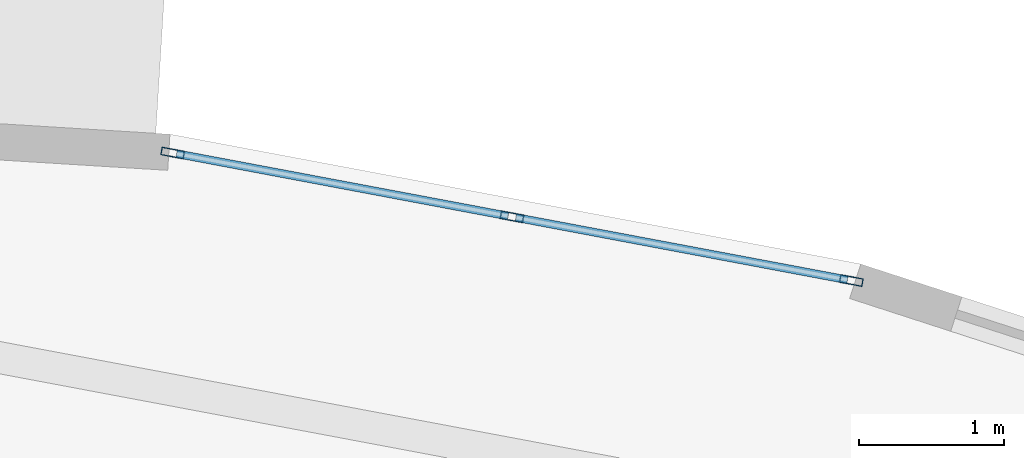
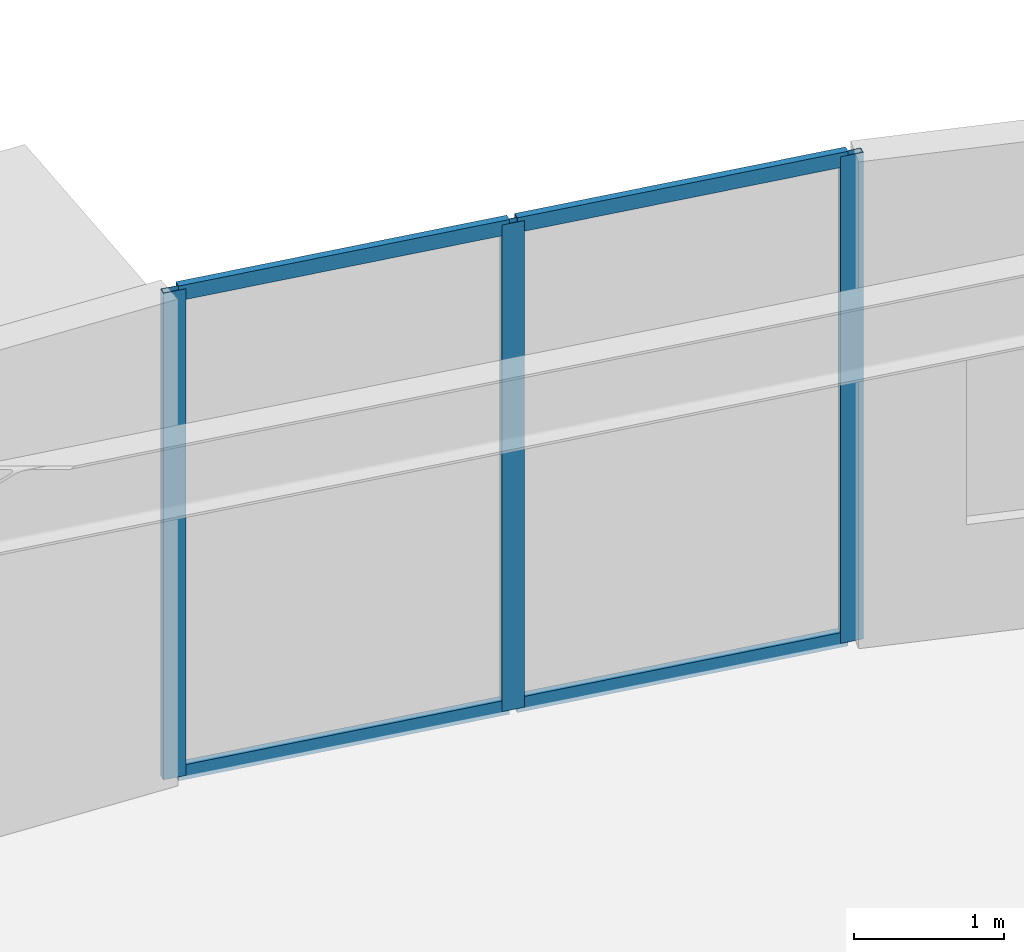
# One storey, part 11 of 29: 7 members, 1 element without a shape of its own.
"""IFC4 building model written with IfcOpenShell, lengths in metres."""

from ifc_helpers import new_model, si_unit, direction, frame, origin, origin_2d, place, context, subcontext, project, spatial, hollow_rectangle, extrude, source, transform, mapped, material, layer, layer_set, material_profile, profile_set, type_object, element, aggregate, save


model = new_model("IFC4")

# Units and contexts
model_context = context("Model", 3, precision=1e-05, world=origin(), true_north=direction((0.0, 1.0)))
body_context = subcontext(model_context, "Body", "Model", "MODEL_VIEW")
ifc_project = project(units=[si_unit("LENGTHUNIT", "METRE"), si_unit("AREAUNIT", "SQUARE_METRE"), si_unit("VOLUMEUNIT", "CUBIC_METRE"), si_unit("PLANEANGLEUNIT", "RADIAN"), si_unit("MASSUNIT", "GRAM", prefix="KILO")], contexts=[model_context])

# Site, building, storey
site_placement = place(None, origin())
site = spatial("IfcSite", under=ifc_project, at=site_placement, CompositionType="ELEMENT")
building_placement = place(site_placement, origin())
building = spatial("IfcBuilding", under=site, at=building_placement, Name="Linh Dai School and Residence Tower", CompositionType="ELEMENT")
storey_placement = place(building_placement, frame((0.0, 0.0, 45.0)))
storey = spatial("IfcBuildingStorey", under=building, at=storey_placement, Name="L10", CompositionType="ELEMENT", Elevation=45.0)

# Curtain wall, members
ifc_material_1 = material(Name="Aluminium Anodised Curtain Wall", Category="aluminium")
ifc_layer = layer(ifc_material_1, 0.159912109375)
ifc_layer_set = layer_set([ifc_layer], Name="Aluminium Anodised Curtain Wall")
curtain_wall_type = type_object("IfcCurtainWallType", Name="CW-SYS-3", PredefinedType="USERDEFINED", material=ifc_layer_set)
curtain_wall_placement = place(storey_placement, origin())
curtain_wall = element("IfcCurtainWall", 1, at=curtain_wall_placement, inside=storey, type_object=curtain_wall_type, Name="L10 CW3 Curtain Wall 09", ObjectType="RIBBON CURTAIN WALL", PredefinedType="USERDEFINED")
ifc_material_2 = material(Name="Aluminium Alloy 6063-T6", Category="aluminium")
ifc_material_profile_1 = material_profile(ifc_material_2, hollow_rectangle(XDim=0.054931640625, YDim=0.1201171875, WallThickness=0.00390625, at=origin_2d()), Name="RHS 120x55x4")
ifc_profile_set_1 = profile_set([ifc_material_profile_1], Name="Aluminium Alloy 6063-T6")
member_type_1 = type_object("IfcMemberType", Name="CW-SYS-3-TRN", PredefinedType="USERDEFINED", material=ifc_profile_set_1)
shared_shape_1 = source(origin(), body_context, "Body", "SweptSolid", [
    extrude(hollow_rectangle(XDim=0.054931640625, YDim=0.1201171875, WallThickness=0.00390625, at=origin_2d()), origin(), (0.0, 0.0, 1.0), 2.331787109375),
])
member_1_placement = place(storey_placement, frame((40.91943359375, 50.9951171875, 0.027587890625), z_axis=(0.98277485102, -0.184806905183, 0.0), x_axis=(0.184806905183, 0.98277485102, 0.0)))
member_1 = element("IfcMember", 2, at=member_1_placement, type_object=member_type_1, Name="CW3 transom 1.1", ObjectType="TRANSOM", PredefinedType="USERDEFINED", context=body_context, shape_type="MappedRepresentation", body=[
    mapped(shared_shape_1, transform((0.0, 0.0, 0.0), x_axis=(1.0, 0.0, 0.0), y_axis=(0.0, 1.0, 0.0), z_axis=(0.0, 0.0, 1.0), scale=1.0)),
])
member_2_placement = place(storey_placement, frame((40.91943359375, 50.9951171875, 3.922607421875), z_axis=(0.98277485102, -0.184806905183, 0.0), x_axis=(0.184806905183, 0.98277485102, 0.0)))
member_2 = element("IfcMember", 3, at=member_2_placement, type_object=member_type_1, Name="CW3 transom 1.2", ObjectType="TRANSOM", PredefinedType="USERDEFINED", context=body_context, shape_type="MappedRepresentation", body=[
    mapped(shared_shape_1, transform((0.0, 0.0, 0.0), x_axis=(1.0, 0.0, 0.0), y_axis=(0.0, 1.0, 0.0), z_axis=(0.0, 0.0, 1.0), scale=1.0)),
])
member_3_placement = place(storey_placement, frame((43.264892578125, 50.55419921875, 0.027587890625), z_axis=(0.98277485102, -0.184806905183, 0.0), x_axis=(0.184806905183, 0.98277485102, 0.0)))
member_3 = element("IfcMember", 4, at=member_3_placement, type_object=member_type_1, Name="CW3 transom 2.1", ObjectType="TRANSOM", PredefinedType="USERDEFINED", context=body_context, shape_type="MappedRepresentation", body=[
    mapped(shared_shape_1, transform((0.0, 0.0, 0.0), x_axis=(1.0, 0.0, 0.0), y_axis=(0.0, 1.0, 0.0), z_axis=(0.0, 0.0, 1.0), scale=1.0)),
])
member_4_placement = place(storey_placement, frame((43.264892578125, 50.55419921875, 3.922607421875), z_axis=(0.98277485102, -0.184806905183, 0.0), x_axis=(0.184806905183, 0.98277485102, 0.0)))
member_4 = element("IfcMember", 5, at=member_4_placement, type_object=member_type_1, Name="CW3 transom 2.2", ObjectType="TRANSOM", PredefinedType="USERDEFINED", context=body_context, shape_type="MappedRepresentation", body=[
    mapped(shared_shape_1, transform((0.0, 0.0, 0.0), x_axis=(1.0, 0.0, 0.0), y_axis=(0.0, 1.0, 0.0), z_axis=(0.0, 0.0, 1.0), scale=1.0)),
])
ifc_material_profile_2 = material_profile(ifc_material_2, hollow_rectangle(XDim=0.054931640625, YDim=0.159912109375, WallThickness=0.00390625, at=origin_2d()), Name="RHS 160x55x4")
ifc_profile_set_2 = profile_set([ifc_material_profile_2], Name="Aluminium Alloy 6063-T6")
member_type_2 = type_object("IfcMemberType", Name="CW-SYS-3-MUL", PredefinedType="MULLION", material=ifc_profile_set_2)
shared_shape_2 = source(origin(), body_context, "Body", "SweptSolid", [
    extrude(hollow_rectangle(XDim=0.054931640625, YDim=0.159912109375, WallThickness=0.00390625, at=origin_2d()), origin(), (0.0, 0.0, 1.0), 3.949951171875),
])
member_5_placement = place(storey_placement, frame((40.892333984375, 51.0, 0.0), z_axis=(0.0, 0.0, 1.0), x_axis=(0.184747948944, 0.982785935675, 0.0)))
member_5 = element("IfcMember", 6, at=member_5_placement, type_object=member_type_2, Name="CW3 mullion 1", PredefinedType="MULLION", context=body_context, shape_type="MappedRepresentation", body=[
    mapped(shared_shape_2, transform((0.0, 0.0, 0.0), x_axis=(1.0, 0.0, 0.0), y_axis=(0.0, 1.0, 0.0), z_axis=(0.0, 0.0, 1.0), scale=1.0)),
])
member_6_placement = place(storey_placement, frame((43.238037109375, 50.55908203125, 0.0), z_axis=(0.0, 0.0, 1.0), x_axis=(0.184747948944, 0.982785935675, 0.0)))
member_6 = element("IfcMember", 7, at=member_6_placement, type_object=member_type_2, Name="CW3 mullion 2", PredefinedType="MULLION", context=body_context, shape_type="MappedRepresentation", body=[
    mapped(shared_shape_2, transform((0.0, 0.0, 0.0), x_axis=(1.0, 0.0, 0.0), y_axis=(0.0, 1.0, 0.0), z_axis=(0.0, 0.0, 1.0), scale=1.0)),
])
member_7_placement = place(storey_placement, frame((45.58349609375, 50.1181640625, 0.0), z_axis=(0.0, 0.0, 1.0), x_axis=(0.184747948944, 0.982785935675, 0.0)))
member_7 = element("IfcMember", 8, at=member_7_placement, type_object=member_type_2, Name="CW3 mullion 3", PredefinedType="MULLION", context=body_context, shape_type="MappedRepresentation", body=[
    mapped(shared_shape_2, transform((0.0, 0.0, 0.0), x_axis=(1.0, 0.0, 0.0), y_axis=(0.0, 1.0, 0.0), z_axis=(0.0, 0.0, 1.0), scale=1.0)),
])
aggregate(curtain_wall, [member_5, member_6, member_7, member_1, member_2, member_3, member_4])

save(model, "model.ifc")
